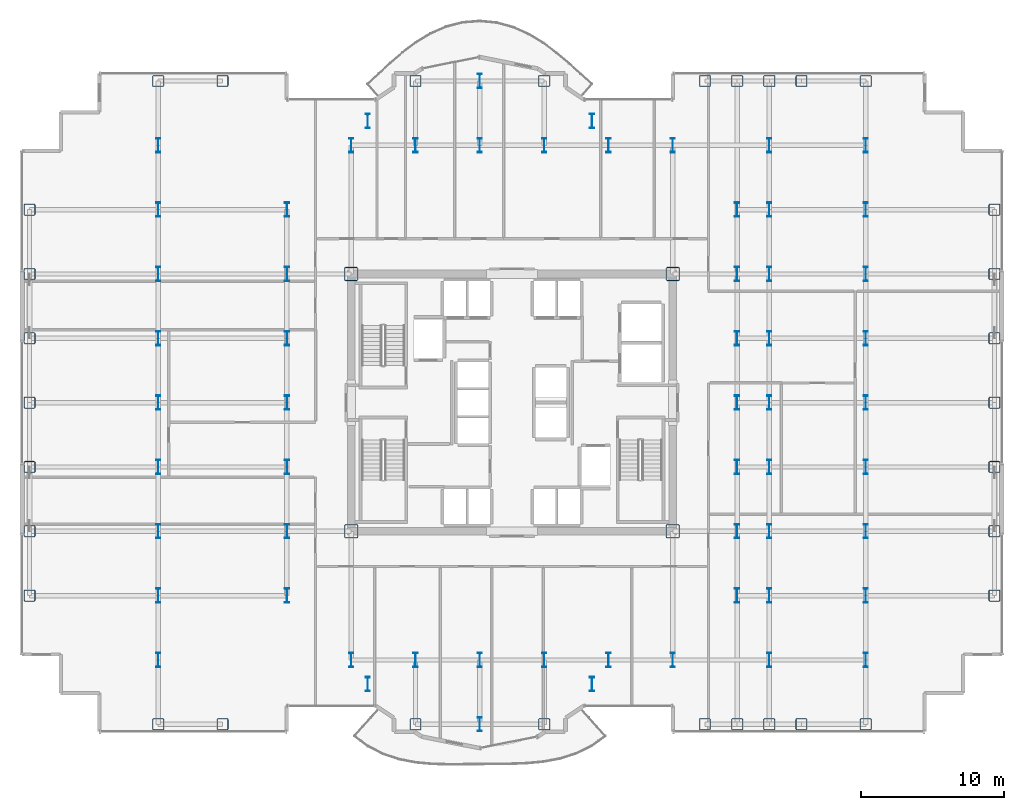
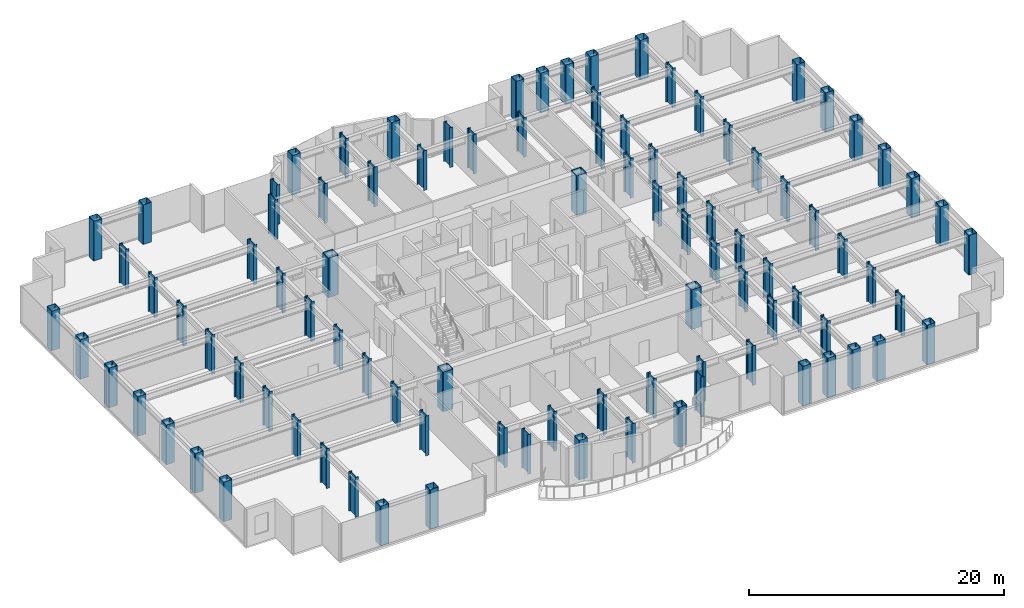
# One storey, part 1 of 29: 95 columns.
"""IFC4 building model written with IfcOpenShell, lengths in metres."""

from ifc_helpers import new_model, si_unit, direction, frame, origin, origin_2d, place, context, subcontext, project, spatial, hollow_rectangle, i_section, extrude, source, transform, mapped, material, material_profile, profile_set, type_object, element, save


model = new_model("IFC4")

# Units and contexts
model_context = context("Model", 3, precision=1e-05, world=origin(), true_north=direction((0.0, 1.0)))
body_context = subcontext(model_context, "Body", "Model", "MODEL_VIEW")
ifc_project = project(units=[si_unit("LENGTHUNIT", "METRE"), si_unit("AREAUNIT", "SQUARE_METRE"), si_unit("VOLUMEUNIT", "CUBIC_METRE"), si_unit("PLANEANGLEUNIT", "RADIAN"), si_unit("MASSUNIT", "GRAM", prefix="KILO")], contexts=[model_context])

# Site, building, storey
site_placement = place(None, origin())
site = spatial("IfcSite", under=ifc_project, at=site_placement, CompositionType="ELEMENT")
building_placement = place(site_placement, origin())
building = spatial("IfcBuilding", under=site, at=building_placement, Name="Nefas-Gora Pilgrimage Tower", CompositionType="ELEMENT")
storey_placement = place(building_placement, frame((0.0, 0.0, 113.60009765625)))
storey = spatial("IfcBuildingStorey", under=building, at=storey_placement, Name="L27", CompositionType="ELEMENT", Elevation=113.60009765625)

# Columns
ifc_material = material(Name="Steel S460", Category="steel")
ifc_material_profile_1 = material_profile(ifc_material, i_section(OverallWidth=0.302001953125, OverallDepth=1.008056640625, WebThickness=0.02099609375, FlangeThickness=0.0400390625, FilletRadius=0.030029296875, at=origin_2d()), Name="HEM 1000")
ifc_profile_set_1 = profile_set([ifc_material_profile_1], Name="Steel S460")
column_type_1 = type_object("IfcColumnType", Name="COL-WEB-HEM1000", PredefinedType="COLUMN", material=ifc_profile_set_1)
shared_shape_1 = source(origin(), body_context, "Body", "SweptSolid", [
    extrude(i_section(OverallWidth=0.302001953125, OverallDepth=1.008056640625, WebThickness=0.02099609375, FlangeThickness=0.0400390625, FilletRadius=0.030029296875, at=origin_2d()), origin(), (0.0, 0.0, 1.0), 3.7998046875),
])
for number, where, z_axis, x_axis, name in (
    (1, (-24.75, -18.0, 0.0), (0.0, 0.0, 1.0), (1.0, 0.0, 0.0), "L27 Tower Column CW-01.9"),
    (2, (-24.75, -13.5, 0.0), (0.0, 0.0, 1.0), (1.0, 0.0, 0.0), "L27 Tower Column CW-01.10"),
    (3, (-24.75, -9.0, 0.0), (0.0, 0.0, 1.0), (1.0, 0.0, 0.0), "L27 Tower Column CW-01.11"),
    (4, (-24.75, -4.5, 0.0), (0.0, 0.0, 1.0), (1.0, 0.0, 0.0), "L27 Tower Column CW-01.12"),
    (5, (-24.75, 0.0, 0.0), (0.0, 0.0, 1.0), (1.0, 0.0, 0.0), "L27 Tower Column CW-01.13"),
    (6, (-24.75, 4.5, 0.0), (0.0, 0.0, 1.0), (1.0, 0.0, 0.0), "L27 Tower Column CW-01.14"),
    (7, (-24.75, 9.0, 0.0), (0.0, 0.0, 1.0), (1.0, 0.0, 0.0), "L27 Tower Column CW-01.15"),
    (8, (-24.75, 13.5, 0.0), (0.0, 0.0, 1.0), (1.0, 0.0, 0.0), "L27 Tower Column CW-01.16"),
    (9, (-24.75, 18.0, 0.0), (0.0, 0.0, 1.0), (1.0, 0.0, 0.0), "L27 Tower Column CW-01.17"),
    (10, (-15.75, -13.5, 0.0), (0.0, 0.0, 1.0), (1.0, 0.0, 0.0), "L27 Tower Column CW-01.21"),
    (11, (-15.75, -9.0, 0.0), (0.0, 0.0, 1.0), (1.0, 0.0, 0.0), "L27 Tower Column CW-01.22"),
    (12, (-15.75, -4.5, 0.0), (0.0, 0.0, 1.0), (1.0, 0.0, 0.0), "L27 Tower Column CW-01.23"),
    (13, (-15.75, 0.0, 0.0), (0.0, 0.0, 1.0), (1.0, 0.0, 0.0), "L27 Tower Column CW-01.24"),
    (14, (-15.75, 4.5, 0.0), (0.0, 0.0, 1.0), (1.0, 0.0, 0.0), "L27 Tower Column CW-01.25"),
    (15, (-15.75, 9.0, 0.0), (0.0, 0.0, 1.0), (1.0, 0.0, 0.0), "L27 Tower Column CW-01.26"),
    (16, (-15.75, 13.5, 0.0), (0.0, 0.0, 1.0), (1.0, 0.0, 0.0), "L27 Tower Column CW-01.27"),
    (17, (-11.25, -18.0, 0.0), (0.0, 0.0, 1.0), (1.0, 0.0, 0.0), "L27 Tower Column CW-01.28"),
    (18, (-11.25, 18.0, 0.0), (0.0, 0.0, 1.0), (1.0, 0.0, 0.0), "L27 Tower Column CW-01.31"),
    (19, (-10.091064453125, -19.696044921875, 0.0), (0.0, 0.0, 1.0), (1.0, 0.0, 0.0), "L27 Tower Column CW-01.32"),
    (20, (-10.091064453125, 19.696044921875, 0.0), (0.0, 0.0, 1.0), (1.0, 0.0, 0.0), "L27 Tower Column CW-01.33"),
    (21, (-6.75, -18.0, 0.0), (0.0, 0.0, 1.0), (1.0, 0.0, 0.0), "L27 Tower Column CW-01.35"),
    (22, (-6.75, 18.0, 0.0), (0.0, 0.0, 1.0), (1.0, 0.0, 0.0), "L27 Tower Column CW-01.36"),
    (23, (-2.25, -22.5, 0.0), (0.0, 0.0, 1.0), (1.0, 0.0, 0.0), "L27 Tower Column CW-01.38"),
    (24, (-2.25, -18.0, 0.0), (0.0, 0.0, 1.0), (1.0, 0.0, 0.0), "L27 Tower Column CW-01.39"),
    (25, (-2.25, 18.0, 0.0), (0.0, 0.0, 1.0), (1.0, 0.0, 0.0), "L27 Tower Column CW-01.40"),
    (26, (-2.25, 22.5, 0.0), (0.0, 0.0, 1.0), (1.0, 0.0, 0.0), "L27 Tower Column CW-01.41"),
    (27, (2.25, -18.0, 0.0), (0.0, 0.0, 1.0), (1.0, 0.0, 0.0), "L27 Tower Column CW-01.43"),
    (28, (2.25, 18.0, 0.0), (0.0, 0.0, 1.0), (1.0, 0.0, 0.0), "L27 Tower Column CW-01.44"),
    (29, (5.591064453125, -19.696044921875, 0.0), (0.0, 0.0, 1.0), (1.0, 0.0, 0.0), "L27 Tower Column CW-01.46"),
    (30, (5.591064453125, 19.696044921875, 0.0), (0.0, 0.0, 1.0), (1.0, 0.0, 0.0), "L27 Tower Column CW-01.47"),
    (31, (6.75, -18.0, 0.0), (0.0, 0.0, 1.0), (1.0, 0.0, 0.0), "L27 Tower Column CW-01.48"),
    (32, (6.75, 18.0, 0.0), (0.0, 0.0, 1.0), (1.0, 0.0, 0.0), "L27 Tower Column CW-01.49"),
    (33, (11.25, -18.0, 0.0), (0.0, 0.0, 1.0), (1.0, 0.0, 0.0), "L27 Tower Column CW-01.50"),
    (34, (11.25, 18.0, 0.0), (0.0, 0.0, 1.0), (1.0, 0.0, 0.0), "L27 Tower Column CW-01.53"),
    (35, (15.75, -13.5, 0.0), (0.0, 0.0, 1.0), (1.0, 0.0, 0.0), "L27 Tower Column CW-01.57"),
    (36, (15.75, -9.0, 0.0), (0.0, 0.0, 1.0), (1.0, 0.0, 0.0), "L27 Tower Column CW-01.58"),
    (37, (15.75, -4.5, 0.0), (0.0, 0.0, 1.0), (1.0, 0.0, 0.0), "L27 Tower Column CW-01.59"),
    (38, (15.75, 0.0, 0.0), (0.0, 0.0, 1.0), (1.0, 0.0, 0.0), "L27 Tower Column CW-01.60"),
    (39, (15.75, 4.5, 0.0), (0.0, 0.0, 1.0), (1.0, 0.0, 0.0), "L27 Tower Column CW-01.61"),
    (40, (15.75, 9.0, 0.0), (0.0, 0.0, 1.0), (1.0, 0.0, 0.0), "L27 Tower Column CW-01.62"),
    (41, (15.75, 13.5, 0.0), (0.0, 0.0, 1.0), (1.0, 0.0, 0.0), "L27 Tower Column CW-01.63"),
    (42, (18.0, -18.0, 0.0), (0.0, 0.0, 1.0), (1.0, 0.0, 0.0), "L27 Tower Column CW-01.66"),
    (43, (18.0, -13.5, 0.0), (0.0, 0.0, 1.0), (1.0, 0.0, 0.0), "L27 Tower Column CW-01.67"),
    (44, (18.0, -9.0, 0.0), (0.0, 0.0, 1.0), (1.0, 0.0, 0.0), "L27 Tower Column CW-01.68"),
    (45, (18.0, -4.5, 0.0), (0.0, 0.0, 1.0), (1.0, 0.0, 0.0), "L27 Tower Column CW-01.69"),
    (46, (18.0, 0.0, 0.0), (0.0, 0.0, 1.0), (1.0, 0.0, 0.0), "L27 Tower Column CW-01.70"),
    (47, (18.0, 4.5, 0.0), (0.0, 0.0, 1.0), (1.0, 0.0, 0.0), "L27 Tower Column CW-01.71"),
    (48, (18.0, 9.0, 0.0), (0.0, 0.0, 1.0), (1.0, 0.0, 0.0), "L27 Tower Column CW-01.72"),
    (49, (18.0, 13.5, 0.0), (0.0, 0.0, 1.0), (1.0, 0.0, 0.0), "L27 Tower Column CW-01.73"),
    (50, (18.0, 18.0, 0.0), (0.0, 0.0, 1.0), (1.0, 0.0, 0.0), "L27 Tower Column CW-01.74"),
    (51, (24.75, -18.0, 0.0), (0.0, 0.0, 1.0), (1.0, 0.0, 0.0), "L27 Tower Column CW-01.79"),
    (52, (24.75, -13.5, 0.0), (0.0, 0.0, 1.0), (1.0, 0.0, 0.0), "L27 Tower Column CW-01.80"),
    (53, (24.75, -9.0, 0.0), (0.0, 0.0, 1.0), (1.0, 0.0, 0.0), "L27 Tower Column CW-01.81"),
    (54, (24.75, -4.5, 0.0), (0.0, 0.0, 1.0), (1.0, 0.0, 0.0), "L27 Tower Column CW-01.82"),
    (55, (24.75, 0.0, 0.0), (0.0, 0.0, 1.0), (1.0, 0.0, 0.0), "L27 Tower Column CW-01.83"),
    (56, (24.75, 4.5, 0.0), (0.0, 0.0, 1.0), (1.0, 0.0, 0.0), "L27 Tower Column CW-01.84"),
    (57, (24.75, 9.0, 0.0), (0.0, 0.0, 1.0), (1.0, 0.0, 0.0), "L27 Tower Column CW-01.85"),
    (58, (24.75, 13.5, 0.0), (0.0, 0.0, 1.0), (1.0, 0.0, 0.0), "L27 Tower Column CW-01.86"),
    (59, (24.75, 18.0, 0.0), (0.0, 0.0, 1.0), (1.0, 0.0, 0.0), "L27 Tower Column CW-01.87"),
):
    element("IfcColumn", number, at=place(storey_placement, frame(where, z_axis=z_axis, x_axis=x_axis)), inside=storey, type_object=column_type_1, Name=name, PredefinedType="COLUMN", context=body_context, shape_type="MappedRepresentation", body=[
        mapped(shared_shape_1, transform((0.0, 0.0, 0.0), x_axis=(1.0, 0.0, 0.0), y_axis=(0.0, 1.0, 0.0), z_axis=(0.0, 0.0, 1.0), scale=1.0)),
    ])
ifc_material_profile_2 = material_profile(ifc_material, hollow_rectangle(XDim=0.949951171875, YDim=0.949951171875, WallThickness=0.044921875, InnerFilletRadius=0.044921875, OuterFilletRadius=0.090087890625, at=origin_2d()), Name="BOX 950x950x45")
ifc_profile_set_2 = profile_set([ifc_material_profile_2], Name="Steel S460")
column_type_2 = type_object("IfcColumnType", Name="COL-CORE-950", PredefinedType="COLUMN", material=ifc_profile_set_2)
shared_shape_2 = source(origin(), body_context, "Body", "SweptSolid", [
    extrude(hollow_rectangle(XDim=0.949951171875, YDim=0.949951171875, WallThickness=0.044921875, InnerFilletRadius=0.044921875, OuterFilletRadius=0.090087890625, at=origin_2d()), origin(), (0.0, 0.0, 1.0), 3.7998046875),
])
for number, where, z_axis, x_axis, name in (
    (60, (-11.25, -9.0, 0.0), (0.0, 0.0, 1.0), (1.0, 0.0, 0.0), "L27 Tower Column CC-Z1.29"),
    (61, (-11.25, 9.0, 0.0), (0.0, 0.0, 1.0), (1.0, 0.0, 0.0), "L27 Tower Column CC-Z1.30"),
    (62, (11.25, -9.0, 0.0), (0.0, 0.0, 1.0), (1.0, 0.0, 0.0), "L27 Tower Column CC-Z1.51"),
    (63, (11.25, 9.0, 0.0), (0.0, 0.0, 1.0), (1.0, 0.0, 0.0), "L27 Tower Column CC-Z1.52"),
):
    element("IfcColumn", number, at=place(storey_placement, frame(where, z_axis=z_axis, x_axis=x_axis)), inside=storey, type_object=column_type_2, Name=name, PredefinedType="COLUMN", context=body_context, shape_type="MappedRepresentation", body=[
        mapped(shared_shape_2, transform((0.0, 0.0, 0.0), x_axis=(1.0, 0.0, 0.0), y_axis=(0.0, 1.0, 0.0), z_axis=(0.0, 0.0, 1.0), scale=1.0)),
    ])
ifc_material_profile_3 = material_profile(ifc_material, hollow_rectangle(XDim=0.800048828125, YDim=0.800048828125, WallThickness=0.0400390625, InnerFilletRadius=0.0400390625, OuterFilletRadius=0.080078125, at=origin_2d()), Name="BOX 800x800x40")
ifc_profile_set_3 = profile_set([ifc_material_profile_3], Name="Steel S460")
column_type_3 = type_object("IfcColumnType", Name="COL-TUBE-800", PredefinedType="COLUMN", material=ifc_profile_set_3)
shared_shape_3 = source(origin(), body_context, "Body", "SweptSolid", [
    extrude(hollow_rectangle(XDim=0.800048828125, YDim=0.800048828125, WallThickness=0.0400390625, InnerFilletRadius=0.0400390625, OuterFilletRadius=0.080078125, at=origin_2d()), origin(), (0.0, 0.0, 1.0), 3.7998046875),
])
for number, where, z_axis, x_axis, name in (
    (64, (-33.75, -13.5, 0.0), (0.0, 0.0, 1.0), (1.0, 0.0, 0.0), "L27 Tower Column C-Z2.1"),
    (65, (-33.75, -9.0, 0.0), (0.0, 0.0, 1.0), (1.0, 0.0, 0.0), "L27 Tower Column C-Z2.2"),
    (66, (-33.75, -4.5, 0.0), (0.0, 0.0, 1.0), (1.0, 0.0, 0.0), "L27 Tower Column C-Z2.3"),
    (67, (-33.75, 0.0, 0.0), (0.0, 0.0, 1.0), (1.0, 0.0, 0.0), "L27 Tower Column C-Z2.4"),
    (68, (-33.75, 4.5, 0.0), (0.0, 0.0, 1.0), (1.0, 0.0, 0.0), "L27 Tower Column C-Z2.5"),
    (69, (-33.75, 9.0, 0.0), (0.0, 0.0, 1.0), (1.0, 0.0, 0.0), "L27 Tower Column C-Z2.6"),
    (70, (-33.75, 13.5, 0.0), (0.0, 0.0, 1.0), (1.0, 0.0, 0.0), "L27 Tower Column C-Z2.7"),
    (71, (-24.75, -22.5, 0.0), (0.0, 0.0, 1.0), (1.0, 0.0, 0.0), "L27 Tower Column C-Z2.8"),
    (72, (-24.75, 22.5, 0.0), (0.0, 0.0, 1.0), (1.0, 0.0, 0.0), "L27 Tower Column C-Z2.18"),
    (73, (-20.25, -22.5, 0.0), (0.0, 0.0, 1.0), (1.0, 0.0, 0.0), "L27 Tower Column C-Z2.19"),
    (74, (-20.25, 22.5, 0.0), (0.0, 0.0, 1.0), (1.0, 0.0, 0.0), "L27 Tower Column C-Z2.20"),
    (75, (-6.75, -22.5, 0.0), (0.0, 0.0, 1.0), (1.0, 0.0, 0.0), "L27 Tower Column C-Z2.34"),
    (76, (-6.75, 22.5, 0.0), (0.0, 0.0, 1.0), (1.0, 0.0, 0.0), "L27 Tower Column C-Z2.37"),
    (77, (2.25, -22.5, 0.0), (0.0, 0.0, 1.0), (1.0, 0.0, 0.0), "L27 Tower Column C-Z2.42"),
    (78, (2.25, 22.5, 0.0), (0.0, 0.0, 1.0), (1.0, 0.0, 0.0), "L27 Tower Column C-Z2.45"),
    (79, (13.5, -22.5, 0.0), (0.0, 0.0, 1.0), (1.0, 0.0, 0.0), "L27 Tower Column C-Z2.54"),
    (80, (13.5, 22.5, 0.0), (0.0, 0.0, 1.0), (1.0, 0.0, 0.0), "L27 Tower Column C-Z2.55"),
    (81, (15.75, -22.5, 0.0), (0.0, 0.0, 1.0), (1.0, 0.0, 0.0), "L27 Tower Column C-Z2.56"),
    (82, (15.75, 22.5, 0.0), (0.0, 0.0, 1.0), (1.0, 0.0, 0.0), "L27 Tower Column C-Z2.64"),
    (83, (18.0, -22.5, 0.0), (0.0, 0.0, 1.0), (1.0, 0.0, 0.0), "L27 Tower Column C-Z2.65"),
    (84, (18.0, 22.5, 0.0), (0.0, 0.0, 1.0), (1.0, 0.0, 0.0), "L27 Tower Column C-Z2.75"),
    (85, (20.25, -22.5, 0.0), (0.0, 0.0, 1.0), (1.0, 0.0, 0.0), "L27 Tower Column C-Z2.76"),
    (86, (20.25, 22.5, 0.0), (0.0, 0.0, 1.0), (1.0, 0.0, 0.0), "L27 Tower Column C-Z2.77"),
    (87, (24.75, -22.5, 0.0), (0.0, 0.0, 1.0), (1.0, 0.0, 0.0), "L27 Tower Column C-Z2.78"),
    (88, (24.75, 22.5, 0.0), (0.0, 0.0, 1.0), (1.0, 0.0, 0.0), "L27 Tower Column C-Z2.88"),
    (89, (33.75, -13.5, 0.0), (0.0, 0.0, 1.0), (1.0, 0.0, 0.0), "L27 Tower Column C-Z2.89"),
    (90, (33.75, -9.0, 0.0), (0.0, 0.0, 1.0), (1.0, 0.0, 0.0), "L27 Tower Column C-Z2.90"),
    (91, (33.75, -4.5, 0.0), (0.0, 0.0, 1.0), (1.0, 0.0, 0.0), "L27 Tower Column C-Z2.91"),
    (92, (33.75, 0.0, 0.0), (0.0, 0.0, 1.0), (1.0, 0.0, 0.0), "L27 Tower Column C-Z2.92"),
    (93, (33.75, 4.5, 0.0), (0.0, 0.0, 1.0), (1.0, 0.0, 0.0), "L27 Tower Column C-Z2.93"),
    (94, (33.75, 9.0, 0.0), (0.0, 0.0, 1.0), (1.0, 0.0, 0.0), "L27 Tower Column C-Z2.94"),
    (95, (33.75, 13.5, 0.0), (0.0, 0.0, 1.0), (1.0, 0.0, 0.0), "L27 Tower Column C-Z2.95"),
):
    element("IfcColumn", number, at=place(storey_placement, frame(where, z_axis=z_axis, x_axis=x_axis)), inside=storey, type_object=column_type_3, Name=name, PredefinedType="COLUMN", context=body_context, shape_type="MappedRepresentation", body=[
        mapped(shared_shape_3, transform((0.0, 0.0, 0.0), x_axis=(1.0, 0.0, 0.0), y_axis=(0.0, 1.0, 0.0), z_axis=(0.0, 0.0, 1.0), scale=1.0)),
    ])

save(model, "model.ifc")
